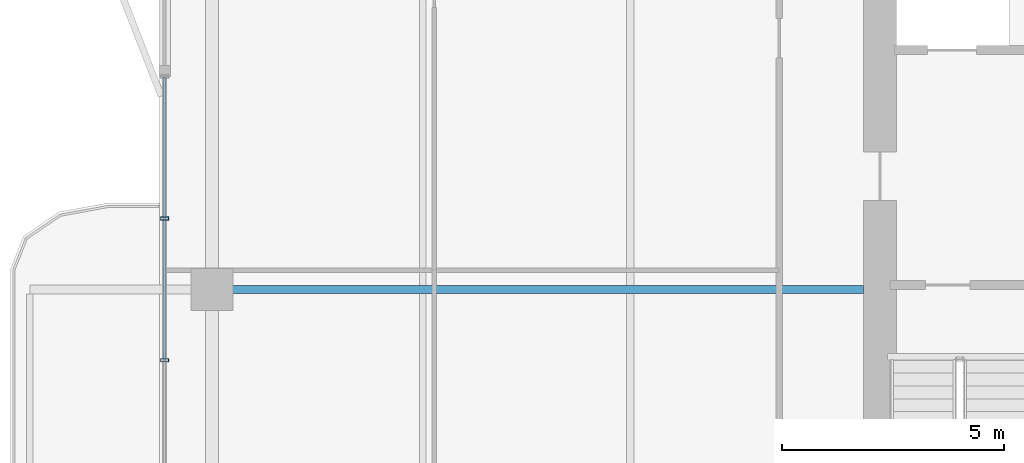
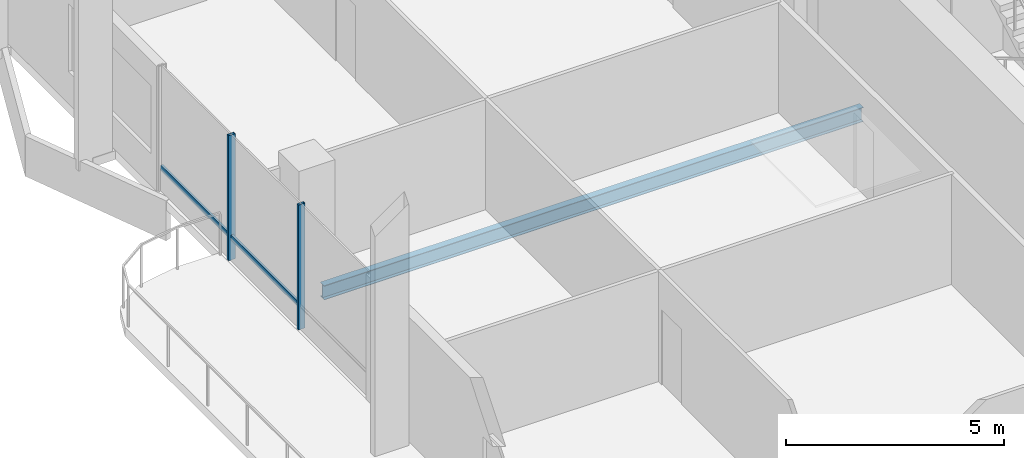
# One storey, part 6 of 25: 4 members, 1 beam, 1 element without a shape of its own.
"""IFC4 building model written with IfcOpenShell, lengths in metres."""

from ifc_helpers import new_model, si_unit, direction, frame, origin, origin_2d, place, context, subcontext, project, spatial, hollow_rectangle, i_section, extrude, material, layer, layer_set, material_profile, profile_set, type_object, element, aggregate, save


model = new_model("IFC4")

# Units and contexts
model_context = context("Model", 3, precision=1e-05, world=origin(), true_north=direction((0.0, 1.0)))
body_context = subcontext(model_context, "Body", "Model", "MODEL_VIEW")
ifc_project = project(units=[si_unit("LENGTHUNIT", "METRE"), si_unit("AREAUNIT", "SQUARE_METRE"), si_unit("VOLUMEUNIT", "CUBIC_METRE"), si_unit("PLANEANGLEUNIT", "RADIAN"), si_unit("MASSUNIT", "GRAM", prefix="KILO")], contexts=[model_context])

# Site, building, storey
site_placement = place(None, origin())
site = spatial("IfcSite", under=ifc_project, at=site_placement, CompositionType="ELEMENT")
building_placement = place(site_placement, origin())
building = spatial("IfcBuilding", under=site, at=building_placement, Name="Belovzor Exchange Tower", CompositionType="ELEMENT")
storey_placement = place(building_placement, frame((0.0, 0.0, 272.85009765625)))
storey = spatial("IfcBuildingStorey", under=building, at=storey_placement, Name="L68", CompositionType="ELEMENT", Elevation=272.85009765625)

# Curtain wall, members
ifc_material_1 = material(Name="Anodised Aluminium Framing", Category="aluminium")
ifc_layer = layer(ifc_material_1, 0.179931640625)
ifc_layer_set = layer_set([ifc_layer], Name="Anodised Aluminium Framing")
curtain_wall_type = type_object("IfcCurtainWallType", Name="Recessed Loggia Low-Iron Triple-Glazed Curtain Wall", PredefinedType="NOTDEFINED", material=ifc_layer_set)
curtain_wall_placement = place(storey_placement, origin())
curtain_wall = element("IfcCurtainWall", 1, at=curtain_wall_placement, inside=storey, type_object=curtain_wall_type, Name="CW3 Recessed Loggia Low-Iron Triple-Glazed Curtain Wall L68", PredefinedType="NOTDEFINED")
ifc_material_2 = material(Name="Steel S355", Category="steel")
ifc_material_profile_1 = material_profile(ifc_material_2, hollow_rectangle(XDim=0.074951171875, YDim=0.179931640625, WallThickness=0.0048828125, at=origin_2d()))
ifc_profile_set_1 = profile_set([ifc_material_profile_1], Name="Steel S355")
member_type_1 = type_object("IfcMemberType", Name="Thermally Broken Curtain Wall Mullion 180x75", PredefinedType="MULLION", material=ifc_profile_set_1)
member_1_placement = place(storey_placement, frame((4.030029296875, 27.199951171875, 0.0), z_axis=(0.0, 0.0, 1.0), x_axis=(0.0, 1.0, 0.0)))
member_1 = element("IfcMember", 2, at=member_1_placement, type_object=member_type_1, Name="CW-M180 Curtain Wall Mullion 2", PredefinedType="MULLION", context=body_context, shape_type="SweptSolid", body=[
    extrude(hollow_rectangle(XDim=0.074951171875, YDim=0.179931640625, WallThickness=0.0048828125, at=origin_2d()), origin(), (0.0, 0.0, 1.0), 3.5),
])
member_2_placement = place(storey_placement, frame((4.030029296875, 30.39990234375, 0.0), z_axis=(0.0, 0.0, 1.0), x_axis=(0.0, 1.0, 0.0)))
member_2 = element("IfcMember", 3, at=member_2_placement, type_object=member_type_1, Name="CW-M180 Curtain Wall Mullion 3", PredefinedType="MULLION", context=body_context, shape_type="SweptSolid", body=[
    extrude(hollow_rectangle(XDim=0.074951171875, YDim=0.179931640625, WallThickness=0.0048828125, at=origin_2d()), origin(), (0.0, 0.0, 1.0), 3.5),
])
ifc_material_3 = material(Name="Steel S355", Category="steel")
ifc_material_profile_2 = material_profile(ifc_material_3, hollow_rectangle(XDim=0.06005859375, YDim=0.14990234375, WallThickness=0.00390625, at=origin_2d()))
ifc_profile_set_2 = profile_set([ifc_material_profile_2], Name="Steel S355")
member_type_2 = type_object("IfcMemberType", Name="Thermally Broken Curtain Wall Transom 150x60", PredefinedType="USERDEFINED", material=ifc_profile_set_2)
member_3_placement = place(storey_placement, frame((4.030029296875, 27.2080078125, 0.6298828125), z_axis=(0.0, 1.0, 0.0), x_axis=(-1.0, 0.0, 0.0)))
member_3 = element("IfcMember", 4, at=member_3_placement, type_object=member_type_2, Name="CW-T150 Curtain Wall Transom 2", ObjectType="TRANSOM", PredefinedType="USERDEFINED", context=body_context, shape_type="SweptSolid", body=[
    extrude(hollow_rectangle(XDim=0.06005859375, YDim=0.14990234375, WallThickness=0.00390625, at=origin_2d()), origin(), (0.0, 0.0, 1.0), 3.18408203125),
])
member_4_placement = place(storey_placement, frame((4.030029296875, 30.407958984375, 0.6298828125), z_axis=(0.0, 1.0, 0.0), x_axis=(-1.0, 0.0, 0.0)))
member_4 = element("IfcMember", 5, at=member_4_placement, type_object=member_type_2, Name="CW-T150 Curtain Wall Transom 3", ObjectType="TRANSOM", PredefinedType="USERDEFINED", context=body_context, shape_type="SweptSolid", body=[
    extrude(hollow_rectangle(XDim=0.06005859375, YDim=0.14990234375, WallThickness=0.00390625, at=origin_2d()), origin(), (0.0, 0.0, 1.0), 3.18408203125),
])
aggregate(curtain_wall, [member_1, member_2, member_3, member_4])

# Beam
ifc_material_4 = material(Name="Steel S355", Category="steel")
ifc_material_profile_3 = material_profile(ifc_material_4, i_section(OverallWidth=0.179931640625, OverallDepth=0.39990234375, WebThickness=0.008544921875, FlangeThickness=0.013427734375, at=origin_2d()))
ifc_profile_set_3 = profile_set([ifc_material_profile_3], Name="Steel S355")
beam_type = type_object("IfcBeamType", Name="Zone 5-6 Radial Composite Floor Beam IPE 400", PredefinedType="BEAM", material=ifc_profile_set_3)
beam_placement = place(storey_placement, frame((19.800048828125, 28.800048828125, -0.4501953125), z_axis=(-1.0, 0.0, 0.0), x_axis=(0.0, -1.0, 0.0)))
element("IfcBeam", 6, at=beam_placement, inside=storey, type_object=beam_type, Name="FB-400 Zone 5-6 Radial Composite Floor Beam IPE 400", PredefinedType="BEAM", context=body_context, shape_type="SweptSolid", body=[
    extrude(i_section(OverallWidth=0.179931640625, OverallDepth=0.39990234375, WebThickness=0.008544921875, FlangeThickness=0.013427734375, at=origin_2d()), origin(), (0.0, 0.0, 1.0), 14.281982421875),
])

save(model, "model.ifc")
